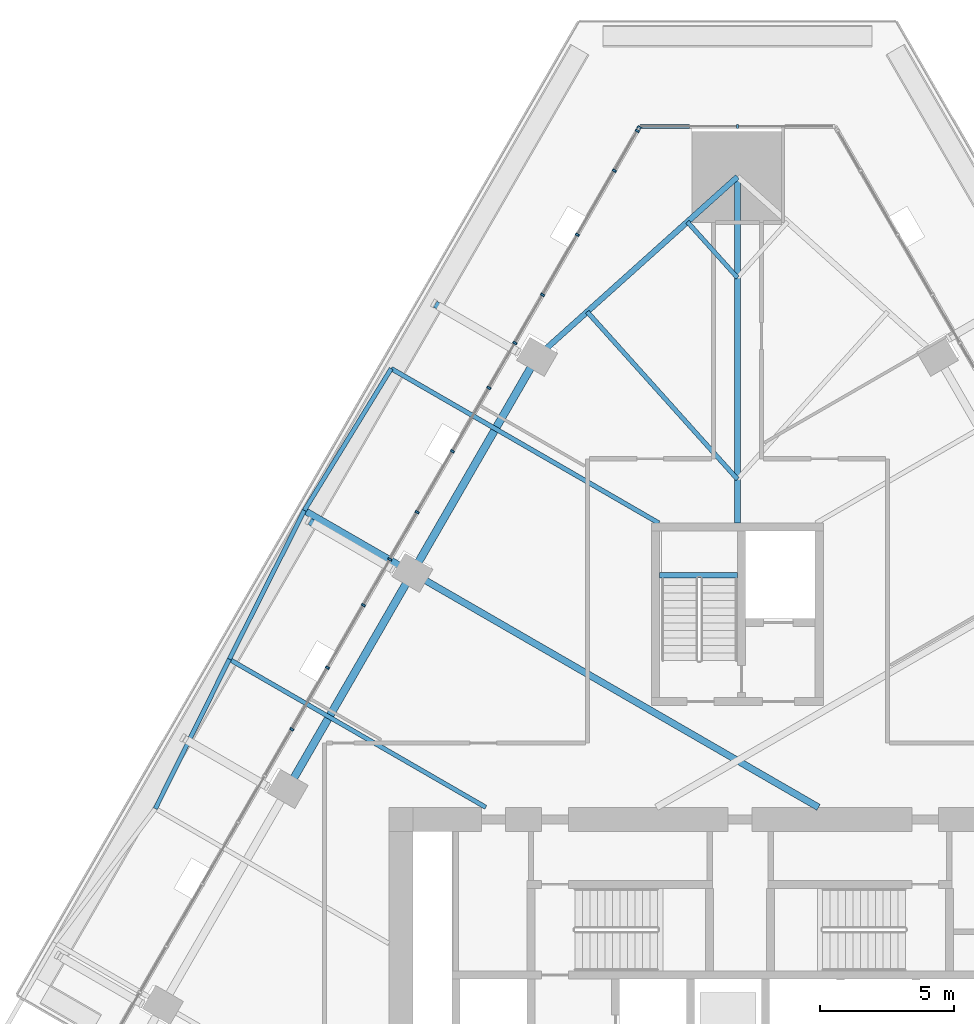
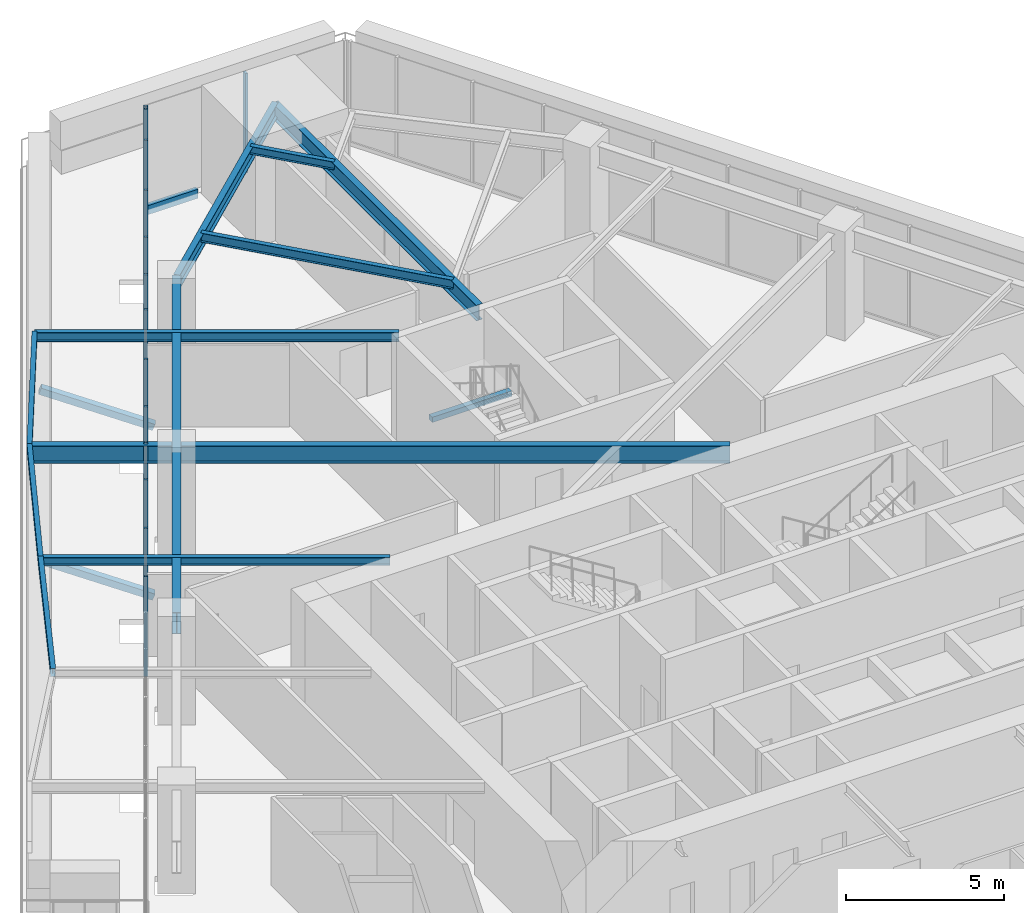
# One storey, part 8 of 26: 17 members, 12 beams, 2 elements without a shape of their own.
"""IFC4 building model written with IfcOpenShell, lengths in metres."""

from ifc_helpers import new_model, si_unit, direction, frame, origin, origin_2d, place, context, subcontext, project, spatial, rectangle, hollow_rectangle, i_section, extrude, material, layer, layer_set, material_profile, profile_set, type_object, element, aggregate, save


model = new_model("IFC4")

# Units and contexts
model_context = context("Model", 3, precision=1e-05, world=origin(), true_north=direction((0.0, 1.0)))
body_context = subcontext(model_context, "Body", "Model", "MODEL_VIEW")
ifc_project = project(units=[si_unit("LENGTHUNIT", "METRE"), si_unit("AREAUNIT", "SQUARE_METRE"), si_unit("VOLUMEUNIT", "CUBIC_METRE"), si_unit("PLANEANGLEUNIT", "RADIAN"), si_unit("MASSUNIT", "GRAM", prefix="KILO")], contexts=[model_context])

# Site, building, storey
site_placement = place(None, origin())
site = spatial("IfcSite", under=ifc_project, at=site_placement, CompositionType="ELEMENT")
building_placement = place(site_placement, origin())
building = spatial("IfcBuilding", under=site, at=building_placement, Name="Firuza Gate Tower and Library", CompositionType="ELEMENT")
storey_placement = place(building_placement, frame((0.0, 0.0, 115.60009765625)))
storey = spatial("IfcBuildingStorey", under=building, at=storey_placement, Name="L26", CompositionType="ELEMENT", Elevation=115.60009765625)

# Curtain wall, member
ifc_material_1 = material(Name="Aluminium 6063-T6", Category="aluminium")
ifc_layer_1 = layer(ifc_material_1, 0.14990234375)
ifc_layer_set_1 = layer_set([ifc_layer_1], Name="Corner curtain wall, chamfers")
curtain_wall_type_1 = type_object("IfcCurtainWallType", Name="Corner curtain wall, chamfers", PredefinedType="NOTDEFINED", material=ifc_layer_set_1)
placement = place(storey_placement, origin())
curtain_wall_1 = element("IfcCurtainWall", 1, at=placement, inside=storey, type_object=curtain_wall_type_1, Name="CW4 L26 N corner", PredefinedType="NOTDEFINED")
ifc_material_2 = material(Name="Aluminium 6063-T6", Category="aluminium")
ifc_material_profile_1 = material_profile(ifc_material_2, rectangle(XDim=0.14990234375, YDim=0.080078125, at=origin_2d()))
ifc_profile_set_1 = profile_set([ifc_material_profile_1], Name="Aluminium 6063-T6")
member_type_1 = type_object("IfcMemberType", Name="Curtain wall mullion 80x150", PredefinedType="MULLION", material=ifc_profile_set_1)
member_1_placement = place(storey_placement, frame((75.0, 109.38720703125, 0.14990234375), z_axis=(0.0, 0.0, 1.0), x_axis=(0.0, -1.0, 0.0)))
member_1 = element("IfcMember", 2, at=member_1_placement, type_object=member_type_1, Name="Mullion", PredefinedType="MULLION", context=body_context, shape_type="SweptSolid", body=[
    extrude(rectangle(XDim=0.14990234375, YDim=0.080078125, at=origin_2d()), origin(), (0.0, 0.0, 1.0), 3.85009765625),
])

# Curtain wall, members
ifc_material_3 = material(Name="Aluminium 6063-T6", Category="aluminium")
ifc_layer_2 = layer(ifc_material_3, 0.14990234375)
ifc_layer_set_2 = layer_set([ifc_layer_2], Name="Unitised curtain wall, offices")
curtain_wall_type_2 = type_object("IfcCurtainWallType", Name="Unitised curtain wall, offices", PredefinedType="NOTDEFINED", material=ifc_layer_set_2)
curtain_wall_2 = element("IfcCurtainWall", 3, at=placement, inside=storey, type_object=curtain_wall_type_2, Name="CW1 L26 W face", PredefinedType="NOTDEFINED")
member_2_placement = place(storey_placement, frame((71.336669921875, 109.3525390625, 0.14990234375), z_axis=(0.0, 0.0, 1.0), x_axis=(0.866025403784, -0.5, 0.0)))
member_2 = element("IfcMember", 4, at=member_2_placement, type_object=member_type_1, Name="Mullion", PredefinedType="MULLION", context=body_context, shape_type="SweptSolid", body=[
    extrude(rectangle(XDim=0.14990234375, YDim=0.080078125, at=origin_2d()), origin(), (0.0, 0.0, 1.0), 3.85009765625),
])
member_3_placement = place(storey_placement, frame((69.02685546875, 105.3515625, 0.14990234375), z_axis=(0.0, 0.0, 1.0), x_axis=(0.866025403784, -0.5, 0.0)))
member_3 = element("IfcMember", 5, at=member_3_placement, type_object=member_type_1, Name="Mullion", PredefinedType="MULLION", context=body_context, shape_type="SweptSolid", body=[
    extrude(rectangle(XDim=0.14990234375, YDim=0.080078125, at=origin_2d()), origin(), (0.0, 0.0, 1.0), 3.85009765625),
])
member_4_placement = place(storey_placement, frame((66.697021484375, 101.316162109375, 0.14990234375), z_axis=(0.0, 0.0, 1.0), x_axis=(0.866025403784, -0.5, 0.0)))
member_4 = element("IfcMember", 6, at=member_4_placement, type_object=member_type_1, Name="Mullion", PredefinedType="MULLION", context=body_context, shape_type="SweptSolid", body=[
    extrude(rectangle(XDim=0.14990234375, YDim=0.080078125, at=origin_2d()), origin(), (0.0, 0.0, 1.0), 3.85009765625),
])
member_5_placement = place(storey_placement, frame((64.3671875, 97.28076171875, 0.14990234375), z_axis=(0.0, 0.0, 1.0), x_axis=(0.866025403784, -0.5, 0.0)))
member_5 = element("IfcMember", 7, at=member_5_placement, type_object=member_type_1, Name="Mullion", PredefinedType="MULLION", context=body_context, shape_type="SweptSolid", body=[
    extrude(rectangle(XDim=0.14990234375, YDim=0.080078125, at=origin_2d()), origin(), (0.0, 0.0, 1.0), 3.85009765625),
])
member_6_placement = place(storey_placement, frame((62.037109375, 93.245361328125, 0.14990234375), z_axis=(0.0, 0.0, 1.0), x_axis=(0.866025403784, -0.5, 0.0)))
member_6 = element("IfcMember", 8, at=member_6_placement, type_object=member_type_1, Name="Mullion", PredefinedType="MULLION", context=body_context, shape_type="SweptSolid", body=[
    extrude(rectangle(XDim=0.14990234375, YDim=0.080078125, at=origin_2d()), origin(), (0.0, 0.0, 1.0), 3.85009765625),
])
member_7_placement = place(storey_placement, frame((59.707275390625, 89.209716796875, 0.14990234375), z_axis=(0.0, 0.0, 1.0), x_axis=(0.866025403784, -0.5, 0.0)))
member_7 = element("IfcMember", 9, at=member_7_placement, type_object=member_type_1, Name="Mullion", PredefinedType="MULLION", context=body_context, shape_type="SweptSolid", body=[
    extrude(rectangle(XDim=0.14990234375, YDim=0.080078125, at=origin_2d()), origin(), (0.0, 0.0, 1.0), 3.85009765625),
])
member_8_placement = place(storey_placement, frame((71.264892578125, 109.22802734375, 0.14990234375), z_axis=(0.0, 0.0, 1.0), x_axis=(0.866025403784, -0.5, 0.0)))
member_8 = element("IfcMember", 10, at=member_8_placement, type_object=member_type_1, Name="Mullion", PredefinedType="MULLION", context=body_context, shape_type="SweptSolid", body=[
    extrude(rectangle(XDim=0.14990234375, YDim=0.080078125, at=origin_2d()), origin(), (0.0, 0.0, 1.0), 3.85009765625),
])
member_9_placement = place(storey_placement, frame((70.40673828125, 107.741455078125, 0.14990234375), z_axis=(0.0, 0.0, 1.0), x_axis=(0.866025403784, -0.5, 0.0)))
member_9 = element("IfcMember", 11, at=member_9_placement, type_object=member_type_1, Name="Mullion", PredefinedType="MULLION", context=body_context, shape_type="SweptSolid", body=[
    extrude(rectangle(XDim=0.14990234375, YDim=0.080078125, at=origin_2d()), origin(), (0.0, 0.0, 1.0), 3.85009765625),
])
member_10_placement = place(storey_placement, frame((67.73388671875, 103.112060546875, 0.14990234375), z_axis=(0.0, 0.0, 1.0), x_axis=(0.866025403784, -0.5, 0.0)))
member_10 = element("IfcMember", 12, at=member_10_placement, type_object=member_type_1, Name="Mullion", PredefinedType="MULLION", context=body_context, shape_type="SweptSolid", body=[
    extrude(rectangle(XDim=0.14990234375, YDim=0.080078125, at=origin_2d()), origin(), (0.0, 0.0, 1.0), 3.85009765625),
])
member_11_placement = place(storey_placement, frame((65.7294921875, 99.640625, 0.14990234375), z_axis=(0.0, 0.0, 1.0), x_axis=(0.866025403784, -0.5, 0.0)))
member_11 = element("IfcMember", 13, at=member_11_placement, type_object=member_type_1, Name="Mullion", PredefinedType="MULLION", context=body_context, shape_type="SweptSolid", body=[
    extrude(rectangle(XDim=0.14990234375, YDim=0.080078125, at=origin_2d()), origin(), (0.0, 0.0, 1.0), 3.85009765625),
])
member_12_placement = place(storey_placement, frame((63.056640625, 95.01123046875, 0.14990234375), z_axis=(0.0, 0.0, 1.0), x_axis=(0.866025403784, -0.5, 0.0)))
member_12 = element("IfcMember", 14, at=member_12_placement, type_object=member_type_1, Name="Mullion", PredefinedType="MULLION", context=body_context, shape_type="SweptSolid", body=[
    extrude(rectangle(XDim=0.14990234375, YDim=0.080078125, at=origin_2d()), origin(), (0.0, 0.0, 1.0), 3.85009765625),
])
member_13_placement = place(storey_placement, frame((61.052490234375, 91.53955078125, 0.14990234375), z_axis=(0.0, 0.0, 1.0), x_axis=(0.866025403784, -0.5, 0.0)))
member_13 = element("IfcMember", 15, at=member_13_placement, type_object=member_type_1, Name="Mullion", PredefinedType="MULLION", context=body_context, shape_type="SweptSolid", body=[
    extrude(rectangle(XDim=0.14990234375, YDim=0.080078125, at=origin_2d()), origin(), (0.0, 0.0, 1.0), 3.85009765625),
])
member_14_placement = place(storey_placement, frame((58.379638671875, 86.91015625, 0.14990234375), z_axis=(0.0, 0.0, 1.0), x_axis=(0.866025403784, -0.5, 0.0)))
member_14 = element("IfcMember", 16, at=member_14_placement, type_object=member_type_1, Name="Mullion", PredefinedType="MULLION", context=body_context, shape_type="SweptSolid", body=[
    extrude(rectangle(XDim=0.14990234375, YDim=0.080078125, at=origin_2d()), origin(), (0.0, 0.0, 1.0), 3.85009765625),
])
aggregate(curtain_wall_2, [member_2, member_3, member_4, member_5, member_6, member_7, member_8, member_9, member_10, member_11, member_12, member_13, member_14])

# Member
ifc_material_4 = material(Name="Aluminium 6063-T6", Category="aluminium")
ifc_material_profile_2 = material_profile(ifc_material_4, rectangle(XDim=0.14990234375, YDim=0.35009765625, at=origin_2d()))
ifc_profile_set_2 = profile_set([ifc_material_profile_2], Name="Aluminium 6063-T6")
member_type_2 = type_object("IfcMemberType", Name="Curtain wall transom 350x150", PredefinedType="USERDEFINED", material=ifc_profile_set_2)
member_15_placement = place(storey_placement, frame((73.22021484375, 109.38720703125, -0.025146484375), z_axis=(-1.0, 0.0, 0.0), x_axis=(0.0, -1.0, 0.0)))
member_15 = element("IfcMember", 17, at=member_15_placement, type_object=member_type_2, Name="Transom", ObjectType="TRANSOM", PredefinedType="USERDEFINED", context=body_context, shape_type="SweptSolid", body=[
    extrude(rectangle(XDim=0.14990234375, YDim=0.35009765625, at=origin_2d()), origin(), (0.0, 0.0, 1.0), 1.863525390625),
])

aggregate(curtain_wall_1, [member_1, member_15])

# Members
ifc_material_5 = material(Name="Steel S355", Category="steel")
ifc_material_profile_3 = material_profile(ifc_material_5, hollow_rectangle(XDim=0.25390625, YDim=0.25390625, WallThickness=0.01171875, at=origin_2d()))
ifc_profile_set_3 = profile_set([ifc_material_profile_3], Name="Steel S355")
member_type_3 = type_object("IfcMemberType", Name="HSS254x254x13 Tray strut", PredefinedType="BRACE", material=ifc_profile_set_3)
for number, where, z_axis, x_axis, name in (
    (18, (66.802490234375, 100.989013671875, -1.670166015625), (-0.807122458648, 0.466007352202, 0.362478253747), (-0.500012057535, -0.866018442252, 0.0), "Tray strut L26 col:L25:W1"),
    (19, (62.125244140625, 92.88818359375, -1.670166015625), (-0.807122458648, 0.466007352202, 0.362478253747), (-0.500012057535, -0.866018442252, 0.0), "Tray strut L26 col:L25:W2"),
):
    element("IfcMember", number, at=place(storey_placement, frame(where, z_axis=z_axis, x_axis=x_axis)), inside=storey, type_object=member_type_3, Name=name, PredefinedType="BRACE", context=body_context, shape_type="SweptSolid", body=[
        extrude(hollow_rectangle(XDim=0.25390625, YDim=0.25390625, WallThickness=0.01171875, at=origin_2d()), origin(), (0.0, 0.0, 1.0), 3.86279296875),
    ])

# Beams
ifc_material_6 = material(Name="Concrete C35/45", Category="concrete")
ifc_material_profile_4 = material_profile(ifc_material_6, rectangle(XDim=0.199951171875, YDim=0.199951171875, at=origin_2d()))
ifc_profile_set_4 = profile_set([ifc_material_profile_4], Name="Concrete C35/45")
beam_type_1 = type_object("IfcBeamType", Name="Stair landing bearer 200x200", PredefinedType="BEAM", material=ifc_profile_set_4)
beam_1_placement = place(storey_placement, frame((75.0, 92.64990234375, 1.7998046875), z_axis=(-1.0, 0.0, 0.0), x_axis=(0.0, -1.0, 0.0)))
element("IfcBeam", 20, at=beam_1_placement, inside=storey, type_object=beam_type_1, Name="Landing bearer L26 stair 3", PredefinedType="BEAM", context=body_context, shape_type="SweptSolid", body=[
    extrude(rectangle(XDim=0.199951171875, YDim=0.199951171875, at=origin_2d()), origin(), (0.0, 0.0, 1.0), 2.89990234375),
])
ifc_material_7 = material(Name="Steel S355", Category="steel")
ifc_material_profile_5 = material_profile(ifc_material_7, i_section(OverallWidth=0.1650390625, OverallDepth=0.31005859375, WebThickness=0.005859375, FlangeThickness=0.009765625, at=origin_2d()))
ifc_profile_set_5 = profile_set([ifc_material_profile_5], Name="Steel S355")
beam_type_2 = type_object("IfcBeamType", Name="W310x39 Floor beam", PredefinedType="JOIST", material=ifc_profile_set_5)
beam_2_placement = place(storey_placement, frame((73.1318359375, 105.8349609375, 3.844970703125), z_axis=(0.667975448269, -0.744183311094, 0.0), x_axis=(0.744183311094, 0.667975448269, 0.0)))
element("IfcBeam", 21, at=beam_2_placement, inside=storey, type_object=beam_type_2, Name="Floor beam L26 s70", PredefinedType="JOIST", context=body_context, shape_type="SweptSolid", body=[
    extrude(i_section(OverallWidth=0.1650390625, OverallDepth=0.31005859375, WebThickness=0.005859375, FlangeThickness=0.009765625, at=origin_2d()), origin(), (0.0, 0.0, 1.0), 2.796875),
])
beam_3_placement = place(storey_placement, frame((56.051025390625, 89.521728515625, 3.844970703125), z_axis=(0.866026547194, -0.499998019551, 0.0), x_axis=(0.499998019551, 0.866026547194, 0.0)))
element("IfcBeam", 22, at=beam_3_placement, inside=storey, type_object=beam_type_2, Name="Floor beam L26 s82", PredefinedType="JOIST", context=body_context, shape_type="SweptSolid", body=[
    extrude(i_section(OverallWidth=0.1650390625, OverallDepth=0.31005859375, WebThickness=0.005859375, FlangeThickness=0.009765625, at=origin_2d()), origin(), (0.0, 0.0, 1.0), 11.04345703125),
])
beam_4_placement = place(storey_placement, frame((62.08740234375, 100.362548828125, 3.844970703125), z_axis=(-0.522135754792, -0.852862388412, 0.0), x_axis=(0.852862388412, -0.522135754792, 0.0)))
element("IfcBeam", 23, at=beam_4_placement, inside=storey, type_object=beam_type_2, Name="Tray edge beam L26 s80-s81", PredefinedType="JOIST", context=body_context, shape_type="SweptSolid", body=[
    extrude(i_section(OverallWidth=0.1650390625, OverallDepth=0.31005859375, WebThickness=0.005859375, FlangeThickness=0.009765625, at=origin_2d()), origin(), (0.0, 0.0, 1.0), 6.205322265625),
])
beam_5_placement = place(storey_placement, frame((58.847412109375, 95.0703125, 3.844970703125), z_axis=(-0.450056109328, -0.893000279091, 0.0), x_axis=(0.893000279091, -0.450056109328, 0.0)))
element("IfcBeam", 24, at=beam_5_placement, inside=storey, type_object=beam_type_2, Name="Tray edge beam L26 s81-s82", PredefinedType="JOIST", context=body_context, shape_type="SweptSolid", body=[
    extrude(i_section(OverallWidth=0.1650390625, OverallDepth=0.31005859375, WebThickness=0.005859375, FlangeThickness=0.009765625, at=origin_2d()), origin(), (0.0, 0.0, 1.0), 6.21337890625),
])
beam_6_placement = place(storey_placement, frame((56.051025390625, 89.521728515625, 3.844970703125), z_axis=(-0.443942802091, -0.896055125799, 0.0), x_axis=(0.896055125799, -0.443942802091, 0.0)))
element("IfcBeam", 25, at=beam_6_placement, inside=storey, type_object=beam_type_2, Name="Tray edge beam L26 s82-s83", PredefinedType="JOIST", context=body_context, shape_type="SweptSolid", body=[
    extrude(i_section(OverallWidth=0.1650390625, OverallDepth=0.31005859375, WebThickness=0.005859375, FlangeThickness=0.009765625, at=origin_2d()), origin(), (0.0, 0.0, 1.0), 6.2158203125),
])
ifc_material_8 = material(Name="Steel S355", Category="steel")
ifc_material_profile_6 = material_profile(ifc_material_8, i_section(OverallWidth=0.1708984375, OverallDepth=0.35498046875, WebThickness=0.007080078125, FlangeThickness=0.01171875, at=origin_2d()))
ifc_profile_set_6 = profile_set([ifc_material_profile_6], Name="Steel S355")
beam_type_3 = type_object("IfcBeamType", Name="W360x51 Floor beam", PredefinedType="JOIST", material=ifc_profile_set_6)
beam_7_placement = place(storey_placement, frame((69.395263671875, 102.480712890625, 3.822509765625), z_axis=(0.668006027086, -0.744155862556, 0.0), x_axis=(0.744155862556, 0.668006027086, 0.0)))
element("IfcBeam", 26, at=beam_7_placement, inside=storey, type_object=beam_type_3, Name="Floor beam L26 s71", PredefinedType="JOIST", context=body_context, shape_type="SweptSolid", body=[
    extrude(i_section(OverallWidth=0.1708984375, OverallDepth=0.35498046875, WebThickness=0.007080078125, FlangeThickness=0.01171875, at=origin_2d()), origin(), (0.0, 0.0, 1.0), 8.39013671875),
])
beam_8_placement = place(storey_placement, frame((62.08740234375, 100.362548828125, 3.822509765625), z_axis=(0.866032843171, -0.499987114384, 0.0), x_axis=(0.499987114384, 0.866032843171, 0.0)))
element("IfcBeam", 27, at=beam_8_placement, inside=storey, type_object=beam_type_3, Name="Floor beam L26 s80", PredefinedType="JOIST", context=body_context, shape_type="SweptSolid", body=[
    extrude(i_section(OverallWidth=0.1708984375, OverallDepth=0.35498046875, WebThickness=0.007080078125, FlangeThickness=0.01171875, at=origin_2d()), origin(), (0.0, 0.0, 1.0), 11.525146484375),
])
ifc_material_9 = material(Name="Steel S355", Category="steel")
ifc_material_profile_7 = material_profile(ifc_material_9, i_section(OverallWidth=0.212890625, OverallDepth=0.5390625, WebThickness=0.01171875, FlangeThickness=0.018798828125, at=origin_2d()))
ifc_profile_set_7 = profile_set([ifc_material_profile_7], Name="Steel S355")
beam_type_4 = type_object("IfcBeamType", Name="W530x109 Edge beam", PredefinedType="SPANDREL", material=ifc_profile_set_7)
beam_9_placement = place(storey_placement, frame((75.0, 107.51220703125, 3.73046875), z_axis=(-0.744151797704, -0.668010555286, 0.0), x_axis=(0.668010555286, -0.744151797704, 0.0)))
element("IfcBeam", 28, at=beam_9_placement, inside=storey, type_object=beam_type_4, Name="Edge beam L26 e70", PredefinedType="SPANDREL", context=body_context, shape_type="SweptSolid", body=[
    extrude(i_section(OverallWidth=0.212890625, OverallDepth=0.5390625, WebThickness=0.01171875, FlangeThickness=0.018798828125, at=origin_2d()), origin(), (0.0, 0.0, 1.0), 10.04248046875),
])
ifc_material_10 = material(Name="Steel S355", Category="steel")
ifc_material_profile_8 = material_profile(ifc_material_10, i_section(OverallWidth=0.22802734375, OverallDepth=0.60302734375, WebThickness=0.010498046875, FlangeThickness=0.014892578125, at=origin_2d()))
ifc_profile_set_8 = profile_set([ifc_material_profile_8], Name="Steel S355")
beam_type_5 = type_object("IfcBeamType", Name="W610x101 Girder", PredefinedType="BEAM", material=ifc_profile_set_8)
beam_10_placement = place(storey_placement, frame((75.0, 107.51220703125, 3.698486328125), z_axis=(0.0, -1.0, 0.0), x_axis=(1.0, 0.0, 0.0)))
element("IfcBeam", 29, at=beam_10_placement, inside=storey, type_object=beam_type_5, Name="Girder L26 gN", PredefinedType="BEAM", context=body_context, shape_type="SweptSolid", body=[
    extrude(i_section(OverallWidth=0.22802734375, OverallDepth=0.60302734375, WebThickness=0.010498046875, FlangeThickness=0.014892578125, at=origin_2d()), origin(), (0.0, 0.0, 1.0), 12.912109375),
])
ifc_material_11 = material(Name="Steel S355", Category="steel")
ifc_material_profile_9 = material_profile(ifc_material_11, i_section(OverallWidth=0.2529296875, OverallDepth=0.677978515625, WebThickness=0.01171875, FlangeThickness=0.016357421875, at=origin_2d()))
ifc_profile_set_9 = profile_set([ifc_material_profile_9], Name="Steel S355")
beam_type_6 = type_object("IfcBeamType", Name="W690x125 Floor beam", PredefinedType="JOIST", material=ifc_profile_set_9)
beam_11_placement = place(storey_placement, frame((58.847412109375, 95.0703125, 3.660888671875), z_axis=(0.866025095534, -0.500000533906, 0.0), x_axis=(0.500000533906, 0.866025095534, 0.0)))
element("IfcBeam", 30, at=beam_11_placement, inside=storey, type_object=beam_type_6, Name="Floor beam L26 s81", PredefinedType="JOIST", context=body_context, shape_type="SweptSolid", body=[
    extrude(i_section(OverallWidth=0.2529296875, OverallDepth=0.677978515625, WebThickness=0.01171875, FlangeThickness=0.016357421875, at=origin_2d()), origin(), (0.0, 0.0, 1.0), 22.140625),
])
ifc_material_12 = material(Name="Steel S355", Category="steel")
ifc_material_profile_10 = material_profile(ifc_material_12, i_section(OverallWidth=0.2919921875, OverallDepth=0.8349609375, WebThickness=0.013916015625, FlangeThickness=0.018798828125, at=origin_2d()))
ifc_profile_set_10 = profile_set([ifc_material_profile_10], Name="Steel S355")
beam_type_7 = type_object("IfcBeamType", Name="W840x176 Edge beam", PredefinedType="SPANDREL", material=ifc_profile_set_10)
beam_12_placement = place(storey_placement, frame((67.52685546875, 100.8037109375, 3.58251953125), z_axis=(-0.499992345027, -0.86602982334, 0.0), x_axis=(0.86602982334, -0.499992345027, 0.0)))
element("IfcBeam", 31, at=beam_12_placement, inside=storey, type_object=beam_type_7, Name="Edge beam L26 e80", PredefinedType="SPANDREL", context=body_context, shape_type="SweptSolid", body=[
    extrude(i_section(OverallWidth=0.2919921875, OverallDepth=0.8349609375, WebThickness=0.013916015625, FlangeThickness=0.018798828125, at=origin_2d()), origin(), (0.0, 0.0, 1.0), 18.610107421875),
])

save(model, "model.ifc")
